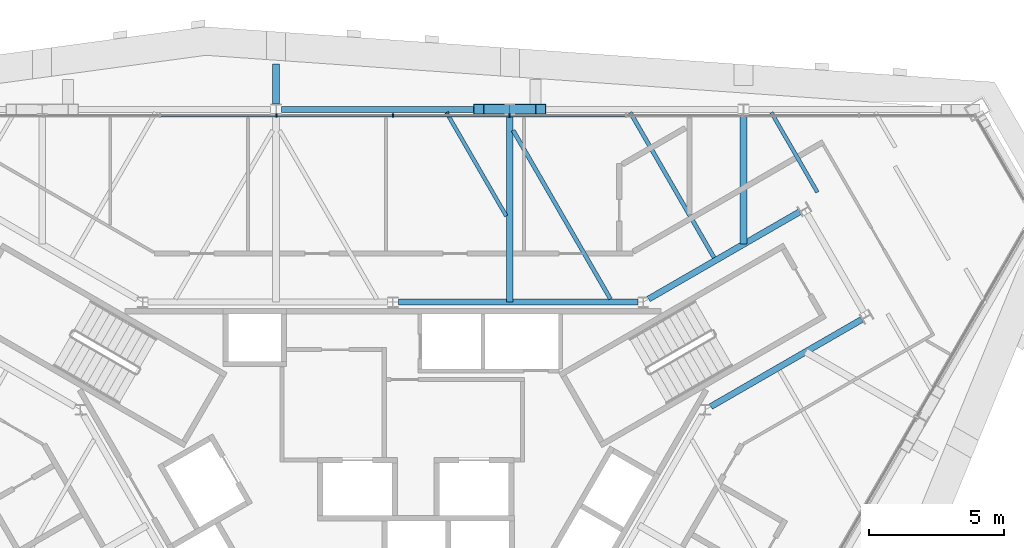
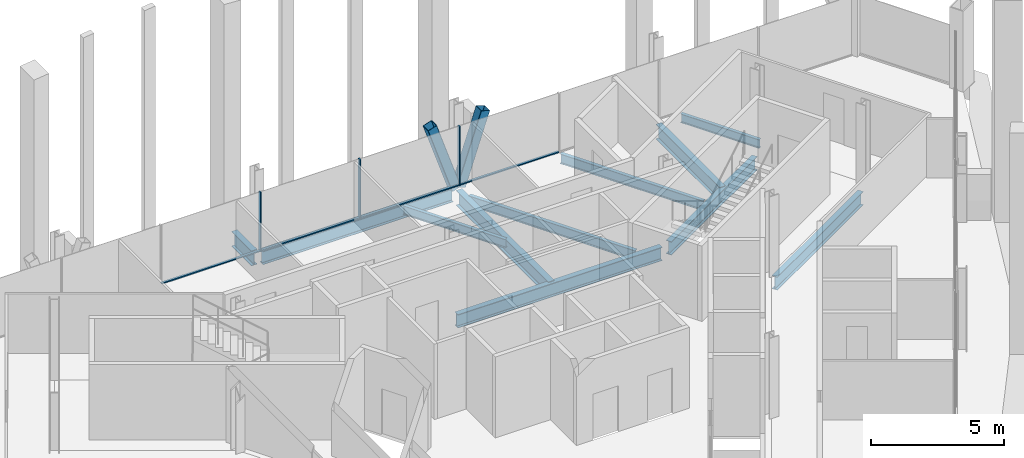
# One storey, part 6 of 14: 11 beams, 9 members, 1 element without a shape of its own.
"""IFC4 building model written with IfcOpenShell, lengths in metres."""

from ifc_helpers import new_model, si_unit, direction, frame, origin, origin_2d, place, context, subcontext, project, spatial, rectangle, hollow_rectangle, i_section, extrude, material, material_profile, profile_set, type_object, element, aggregate, save


model = new_model("IFC4")

# Units and contexts
model_context = context("Model", 3, precision=1e-05, world=origin(), true_north=direction((0.0, 1.0)))
body_context = subcontext(model_context, "Body", "Model", "MODEL_VIEW")
ifc_project = project(units=[si_unit("LENGTHUNIT", "METRE"), si_unit("AREAUNIT", "SQUARE_METRE"), si_unit("VOLUMEUNIT", "CUBIC_METRE"), si_unit("PLANEANGLEUNIT", "RADIAN"), si_unit("MASSUNIT", "GRAM", prefix="KILO")], contexts=[model_context])

# Site, building, storey
site_placement = place(None, origin())
site = spatial("IfcSite", under=ifc_project, at=site_placement, CompositionType="ELEMENT")
building_placement = place(site_placement, origin())
building = spatial("IfcBuilding", under=site, at=building_placement, Name="Verrane Prism Tower", CompositionType="ELEMENT")
storey_placement = place(building_placement, frame((0.0, 0.0, 206.39990234375)))
storey = spatial("IfcBuildingStorey", under=building, at=storey_placement, Name="L51", CompositionType="ELEMENT", Elevation=206.39990234375)

# Beams
ifc_material_1 = material(Name="Steel A992", Category="steel")
ifc_material_profile_1 = material_profile(ifc_material_1, i_section(OverallWidth=0.23046875, OverallDepth=0.6171875, WebThickness=0.01318359375, FlangeThickness=0.022216796875, FilletRadius=0.012939453125, at=origin_2d()), Name="W24x94")
ifc_profile_set_1 = profile_set([ifc_material_profile_1], Name="Steel A992")
beam_type_1 = type_object("IfcBeamType", Name="Core ring girder W24x94", PredefinedType="BEAM", material=ifc_profile_set_1)
for number, where, z_axis, x_axis, name in (
    (1, (11.759521484375, 4.135009765625, -0.55859375), (0.866080992722, 0.499903704773, 0.0), (-0.499903704773, 0.866080992722, 0.0), "Core ring girder L51"),
    (2, (15.04736328125, 11.34033203125, -0.55859375), (-0.866080992722, -0.499903704773, 0.0), (0.499903704773, -0.866080992722, 0.0), "Core ring girder L51"),
):
    element("IfcBeam", number, at=place(storey_placement, frame(where, z_axis=z_axis, x_axis=x_axis)), inside=storey, type_object=beam_type_1, Name=name, PredefinedType="BEAM", context=body_context, shape_type="SweptSolid", body=[
        extrude(i_section(OverallWidth=0.23046875, OverallDepth=0.6171875, WebThickness=0.01318359375, FlangeThickness=0.022216796875, FilletRadius=0.012939453125, at=origin_2d()), origin(), (0.0, 0.0, 1.0), 6.451904296875),
    ])
beam_1_placement = place(storey_placement, frame((9.060546875, 8.0, -0.55859375), z_axis=(-1.0, 0.0, 0.0), x_axis=(0.0, -1.0, 0.0)))
element("IfcBeam", 3, at=beam_1_placement, inside=storey, type_object=beam_type_1, Name="Core ring girder L51", PredefinedType="BEAM", context=body_context, shape_type="SweptSolid", body=[
    extrude(i_section(OverallWidth=0.23046875, OverallDepth=0.6171875, WebThickness=0.01318359375, FlangeThickness=0.022216796875, FilletRadius=0.012939453125, at=origin_2d()), origin(), (0.0, 0.0, 1.0), 8.861083984375),
])

# Members
ifc_material_2 = material(Name="Steel A500 Grade C", Category="steel")
ifc_material_profile_2 = material_profile(ifc_material_2, hollow_rectangle(XDim=0.406494140625, YDim=0.406494140625, WallThickness=0.01904296875, InnerFilletRadius=0.009521484375, OuterFilletRadius=0.028564453125, at=origin_2d()), Name="HSS16x16x3/4")
ifc_profile_set_2 = profile_set([ifc_material_profile_2], Name="Steel A500 Grade C")
member_type_1 = type_object("IfcMemberType", Name="Facade brace HSS16x16x3/4", PredefinedType="BRACE", material=ifc_profile_set_2)
member_1_placement = place(storey_placement, frame((4.419189453125, 15.1298828125, -0.171630859375), z_axis=(0.316800904086, 0.0, 0.948492059624), x_axis=(0.0, 1.0, 0.0)))
element("IfcMember", 4, at=member_1_placement, inside=storey, type_object=member_type_1, Name="Facade brace N1 L51", PredefinedType="BRACE", context=body_context, shape_type="SweptSolid", body=[
    extrude(hollow_rectangle(XDim=0.406494140625, YDim=0.406494140625, WallThickness=0.01904296875, InnerFilletRadius=0.009521484375, OuterFilletRadius=0.028564453125, at=origin_2d()), origin(), (0.0, 0.0, 1.0), 3.322265625),
])
member_2_placement = place(storey_placement, frame((4.220947265625, 15.1298828125, -0.171630859375), z_axis=(-0.316470289811, 0.0, 0.948602422339), x_axis=(0.0, -1.0, 0.0)))
element("IfcMember", 5, at=member_2_placement, inside=storey, type_object=member_type_1, Name="Facade brace N2 L51", PredefinedType="BRACE", context=body_context, shape_type="SweptSolid", body=[
    extrude(hollow_rectangle(XDim=0.406494140625, YDim=0.406494140625, WallThickness=0.01904296875, InnerFilletRadius=0.009521484375, OuterFilletRadius=0.028564453125, at=origin_2d()), origin(), (0.0, 0.0, 1.0), 3.32177734375),
])

# Beams
ifc_material_3 = material(Name="Steel A992", Category="steel")
ifc_material_profile_3 = material_profile(ifc_material_3, i_section(OverallWidth=0.140380859375, OverallDepth=0.40380859375, WebThickness=0.007080078125, FlangeThickness=0.01123046875, FilletRadius=0.01025390625, at=origin_2d()), Name="W16x31")
ifc_profile_set_3 = profile_set([ifc_material_profile_3], Name="Steel A992")
beam_type_2 = type_object("IfcBeamType", Name="Floor beam W16x31", PredefinedType="BEAM", material=ifc_profile_set_3)
beam_2_placement = place(storey_placement, frame((15.702392578125, 12.064453125, -0.36181640625), z_axis=(-0.49998505825, 0.866034030236, 0.0), x_axis=(-0.866034030236, -0.49998505825, 0.0)))
element("IfcBeam", 6, at=beam_2_placement, inside=storey, type_object=beam_type_2, Name="Floor beam L51", PredefinedType="BEAM", context=body_context, shape_type="SweptSolid", body=[
    extrude(i_section(OverallWidth=0.140380859375, OverallDepth=0.40380859375, WebThickness=0.007080078125, FlangeThickness=0.01123046875, FilletRadius=0.01025390625, at=origin_2d()), origin(), (0.0, 0.0, 1.0), 3.40673828125),
])
beam_3_placement = place(storey_placement, frame((4.193115234375, 11.18505859375, -0.36181640625), z_axis=(-0.500045805297, 0.865998956469, 0.0), x_axis=(-0.865998956469, -0.500045805297, 0.0)))
element("IfcBeam", 7, at=beam_3_placement, inside=storey, type_object=beam_type_2, Name="Floor beam L51", PredefinedType="BEAM", context=body_context, shape_type="SweptSolid", body=[
    extrude(i_section(OverallWidth=0.140380859375, OverallDepth=0.40380859375, WebThickness=0.007080078125, FlangeThickness=0.01123046875, FilletRadius=0.01025390625, at=origin_2d()), origin(), (0.0, 0.0, 1.0), 4.42236328125),
])
ifc_material_4 = material(Name="Steel A992", Category="steel")
ifc_material_profile_4 = material_profile(ifc_material_4, i_section(OverallWidth=0.15234375, OverallDepth=0.449462890625, WebThickness=0.007568359375, FlangeThickness=0.0107421875, FilletRadius=0.01025390625, at=origin_2d()), Name="W18x35")
ifc_profile_set_4 = profile_set([ifc_material_profile_4], Name="Steel A992")
beam_type_3 = type_object("IfcBeamType", Name="Floor beam W18x35", PredefinedType="BEAM", material=ifc_profile_set_4)
beam_4_placement = place(storey_placement, frame((11.88134765625, 9.644775390625, -0.384765625), z_axis=(-0.499988291006, 0.866032163869, 0.0), x_axis=(-0.866032163869, -0.499988291006, 0.0)))
element("IfcBeam", 8, at=beam_4_placement, inside=storey, type_object=beam_type_3, Name="Floor beam L51", PredefinedType="BEAM", context=body_context, shape_type="SweptSolid", body=[
    extrude(i_section(OverallWidth=0.15234375, OverallDepth=0.449462890625, WebThickness=0.007568359375, FlangeThickness=0.0107421875, FilletRadius=0.01025390625, at=origin_2d()), origin(), (0.0, 0.0, 1.0), 6.200927734375),
])
beam_5_placement = place(storey_placement, frame((8.047119140625, 8.114990234375, -0.384765625), z_axis=(-0.499982693035, 0.866035395735, 0.0), x_axis=(-0.866035395735, -0.499982693035, 0.0)))
element("IfcBeam", 9, at=beam_5_placement, inside=storey, type_object=beam_type_3, Name="Floor beam L51", PredefinedType="BEAM", context=body_context, shape_type="SweptSolid", body=[
    extrude(i_section(OverallWidth=0.15234375, OverallDepth=0.449462890625, WebThickness=0.007568359375, FlangeThickness=0.0107421875, FilletRadius=0.01025390625, at=origin_2d()), origin(), (0.0, 0.0, 1.0), 7.200439453125),
])

# Curtain wall, members
ifc_material_5 = material(Name="Aluminium framed insulated glazing", Category="aluminium")
curtain_wall_type = type_object("IfcCurtainWallType", Name="Curtain wall CW-C 4200 module", PredefinedType="NOTDEFINED", material=ifc_material_5)
curtain_wall_placement = place(storey_placement, origin())
curtain_wall = element("IfcCurtainWall", 10, at=curtain_wall_placement, inside=storey, type_object=curtain_wall_type, Name="Glazed curtain wall north face L51", PredefinedType="NOTDEFINED")
ifc_material_6 = material(Name="Aluminium alloy 6063-T6", Category="aluminium")
ifc_material_profile_5 = material_profile(ifc_material_6, rectangle(XDim=0.139892578125, YDim=0.050048828125, at=origin_2d()), Name="Mullion 50x140 aluminium")
ifc_profile_set_5 = profile_set([ifc_material_profile_5], Name="Aluminium alloy 6063-T6")
member_type_2 = type_object("IfcMemberType", Name="Mullion 50x140 aluminium", PredefinedType="MULLION", material=ifc_profile_set_5)
member_3_placement = place(storey_placement, frame((4.31005859375, 14.90185546875, 0.0), z_axis=(0.0, 0.0, 1.0), x_axis=(0.0, -1.0, 0.0)))
member_3 = element("IfcMember", 11, at=member_3_placement, type_object=member_type_2, Name="CW51.2 mullion 5", PredefinedType="MULLION", context=body_context, shape_type="SweptSolid", body=[
    extrude(rectangle(XDim=0.139892578125, YDim=0.050048828125, at=origin_2d()), origin(), (0.0, 0.0, 1.0), 2.712890625),
])
member_4_placement = place(storey_placement, frame((0.0, 14.90185546875, 0.0), z_axis=(0.0, 0.0, 1.0), x_axis=(0.0, -1.0, 0.0)))
member_4 = element("IfcMember", 12, at=member_4_placement, type_object=member_type_2, Name="CW51.2 mullion 6", PredefinedType="MULLION", context=body_context, shape_type="SweptSolid", body=[
    extrude(rectangle(XDim=0.139892578125, YDim=0.050048828125, at=origin_2d()), origin(), (0.0, 0.0, 1.0), 2.712890625),
])
member_5_placement = place(storey_placement, frame((-4.31005859375, 14.90185546875, 0.0), z_axis=(0.0, 0.0, 1.0), x_axis=(0.0, -1.0, 0.0)))
member_5 = element("IfcMember", 13, at=member_5_placement, type_object=member_type_2, Name="CW51.2 mullion 7", PredefinedType="MULLION", context=body_context, shape_type="SweptSolid", body=[
    extrude(rectangle(XDim=0.139892578125, YDim=0.050048828125, at=origin_2d()), origin(), (0.0, 0.0, 1.0), 2.712890625),
])

# Beams
ifc_material_7 = material(Name="Steel A992", Category="steel")
ifc_material_profile_6 = material_profile(ifc_material_7, i_section(OverallWidth=0.25390625, OverallDepth=0.683349609375, WebThickness=0.012451171875, FlangeThickness=0.01904296875, FilletRadius=0.01513671875, at=origin_2d()), Name="W27x94")
ifc_profile_set_6 = profile_set([ifc_material_profile_6], Name="Steel A992")
beam_type_4 = type_object("IfcBeamType", Name="Radial girder W27x94", PredefinedType="BEAM", material=ifc_profile_set_6)
beam_6_placement = place(storey_placement, frame((12.969970703125, 14.9306640625, -0.5615234375), z_axis=(0.0, -1.0, 0.0), x_axis=(1.0, 0.0, 0.0)))
element("IfcBeam", 14, at=beam_6_placement, inside=storey, type_object=beam_type_4, Name="Radial girder L51", PredefinedType="BEAM", context=body_context, shape_type="SweptSolid", body=[
    extrude(i_section(OverallWidth=0.25390625, OverallDepth=0.683349609375, WebThickness=0.012451171875, FlangeThickness=0.01904296875, FilletRadius=0.01513671875, at=origin_2d()), origin(), (0.0, 0.0, 1.0), 4.789306640625),
])
beam_7_placement = place(storey_placement, frame((4.320068359375, 14.9306640625, -0.5615234375), z_axis=(0.0, -1.0, 0.0), x_axis=(1.0, 0.0, 0.0)))
element("IfcBeam", 15, at=beam_7_placement, inside=storey, type_object=beam_type_4, Name="Radial girder L51", PredefinedType="BEAM", context=body_context, shape_type="SweptSolid", body=[
    extrude(i_section(OverallWidth=0.25390625, OverallDepth=0.683349609375, WebThickness=0.012451171875, FlangeThickness=0.01904296875, FilletRadius=0.01513671875, at=origin_2d()), origin(), (0.0, 0.0, 1.0), 6.9306640625),
])
beam_8_placement = place(storey_placement, frame((-4.320068359375, 15.325439453125, -0.5615234375), z_axis=(0.0, 1.0, 0.0), x_axis=(-1.0, 0.0, 0.0)))
element("IfcBeam", 16, at=beam_8_placement, inside=storey, type_object=beam_type_4, Name="Cantilever girder L51", PredefinedType="BEAM", context=body_context, shape_type="SweptSolid", body=[
    extrude(i_section(OverallWidth=0.25390625, OverallDepth=0.683349609375, WebThickness=0.012451171875, FlangeThickness=0.01904296875, FilletRadius=0.01513671875, at=origin_2d()), origin(), (0.0, 0.0, 1.0), 1.4873046875),
])
ifc_material_8 = material(Name="Steel A992", Category="steel")
ifc_material_profile_7 = material_profile(ifc_material_8, i_section(OverallWidth=0.23046875, OverallDepth=0.6171875, WebThickness=0.01318359375, FlangeThickness=0.022216796875, FilletRadius=0.012939453125, at=origin_2d()), Name="W24x94")
ifc_profile_set_7 = profile_set([ifc_material_profile_7], Name="Steel A992")
beam_type_5 = type_object("IfcBeamType", Name="Spandrel beam W24x94", PredefinedType="SPANDREL", material=ifc_profile_set_7)
beam_9_placement = place(storey_placement, frame((4.119384765625, 15.1298828125, -0.468505859375), z_axis=(-1.0, 0.0, 0.0), x_axis=(0.0, -1.0, 0.0)))
element("IfcBeam", 17, at=beam_9_placement, inside=storey, type_object=beam_type_5, Name="Spandrel beam L51", PredefinedType="SPANDREL", context=body_context, shape_type="SweptSolid", body=[
    extrude(i_section(OverallWidth=0.23046875, OverallDepth=0.6171875, WebThickness=0.01318359375, FlangeThickness=0.022216796875, FilletRadius=0.012939453125, at=origin_2d()), origin(), (0.0, 0.0, 1.0), 8.23876953125),
])

# Member
ifc_material_9 = material(Name="Aluminium alloy 6063-T6", Category="aluminium")
ifc_material_profile_8 = material_profile(ifc_material_9, rectangle(XDim=0.10009765625, YDim=0.050048828125, at=origin_2d()), Name="Transom 50x100 aluminium")
ifc_profile_set_8 = profile_set([ifc_material_profile_8], Name="Aluminium alloy 6063-T6")
member_type_3 = type_object("IfcMemberType", Name="Transom 50x100 aluminium", PredefinedType="USERDEFINED", material=ifc_profile_set_8)
member_6_placement = place(storey_placement, frame((8.59521484375, 14.90185546875, 0.025146484375), z_axis=(-1.0, 0.0, 0.0), x_axis=(0.0, -1.0, 0.0)))
member_6 = element("IfcMember", 18, at=member_6_placement, type_object=member_type_3, Name="CW51.2 transom 4", ObjectType="TRANSOM", PredefinedType="USERDEFINED", context=body_context, shape_type="SweptSolid", body=[
    extrude(rectangle(XDim=0.10009765625, YDim=0.050048828125, at=origin_2d()), origin(), (0.0, 0.0, 1.0), 4.260009765625),
])

member_7_placement = place(storey_placement, frame((4.28515625, 14.90185546875, 0.025146484375), z_axis=(-1.0, 0.0, 0.0), x_axis=(0.0, -1.0, 0.0)))
member_7 = element("IfcMember", 19, at=member_7_placement, type_object=member_type_3, Name="CW51.2 transom 5", ObjectType="TRANSOM", PredefinedType="USERDEFINED", context=body_context, shape_type="SweptSolid", body=[
    extrude(rectangle(XDim=0.10009765625, YDim=0.050048828125, at=origin_2d()), origin(), (0.0, 0.0, 1.0), 4.26025390625),
])

member_8_placement = place(storey_placement, frame((-0.02490234375, 14.90185546875, 0.025146484375), z_axis=(-1.0, 0.0, 0.0), x_axis=(0.0, -1.0, 0.0)))
member_8 = element("IfcMember", 20, at=member_8_placement, type_object=member_type_3, Name="CW51.2 transom 6", ObjectType="TRANSOM", PredefinedType="USERDEFINED", context=body_context, shape_type="SweptSolid", body=[
    extrude(rectangle(XDim=0.10009765625, YDim=0.050048828125, at=origin_2d()), origin(), (0.0, 0.0, 1.0), 4.26025390625),
])

member_9_placement = place(storey_placement, frame((-4.335205078125, 14.90185546875, 0.025146484375), z_axis=(-1.0, 0.0, 0.0), x_axis=(0.0, -1.0, 0.0)))
member_9 = element("IfcMember", 21, at=member_9_placement, type_object=member_type_3, Name="CW51.2 transom 7", ObjectType="TRANSOM", PredefinedType="USERDEFINED", context=body_context, shape_type="SweptSolid", body=[
    extrude(rectangle(XDim=0.10009765625, YDim=0.050048828125, at=origin_2d()), origin(), (0.0, 0.0, 1.0), 4.260009765625),
])

aggregate(curtain_wall, [member_3, member_4, member_5, member_6, member_7, member_8, member_9])

save(model, "model.ifc")
